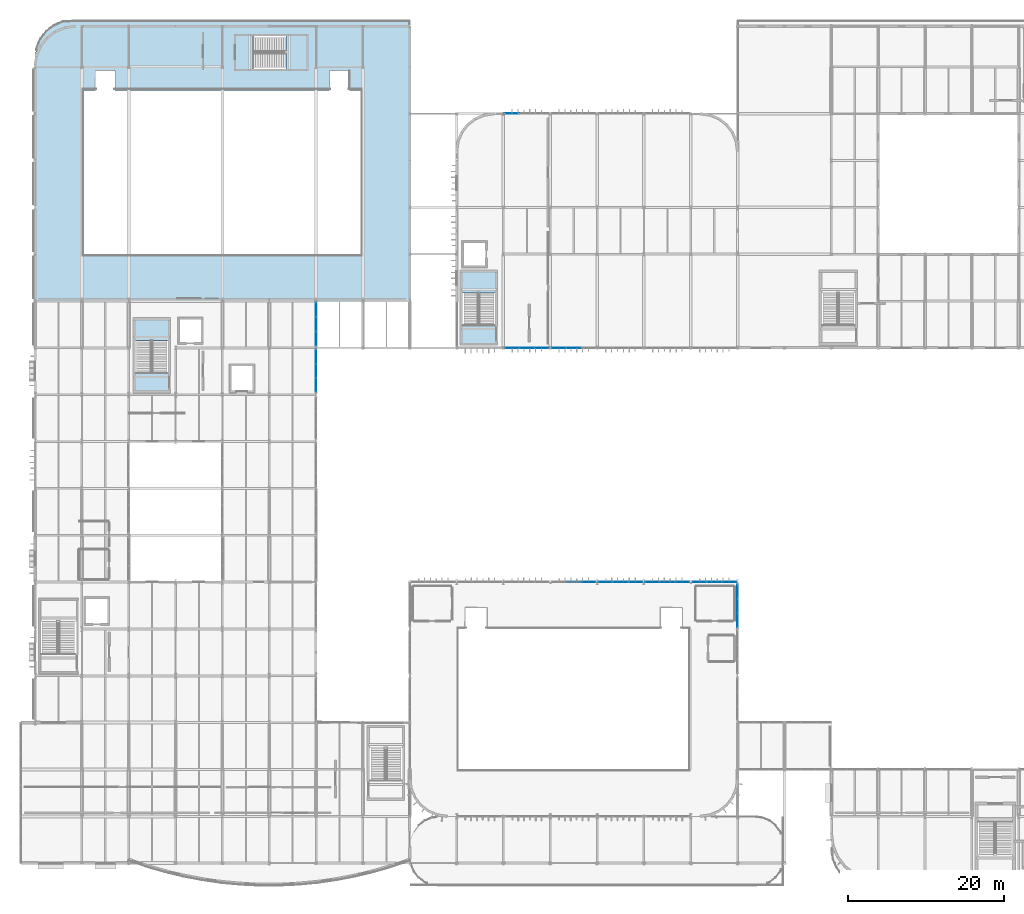
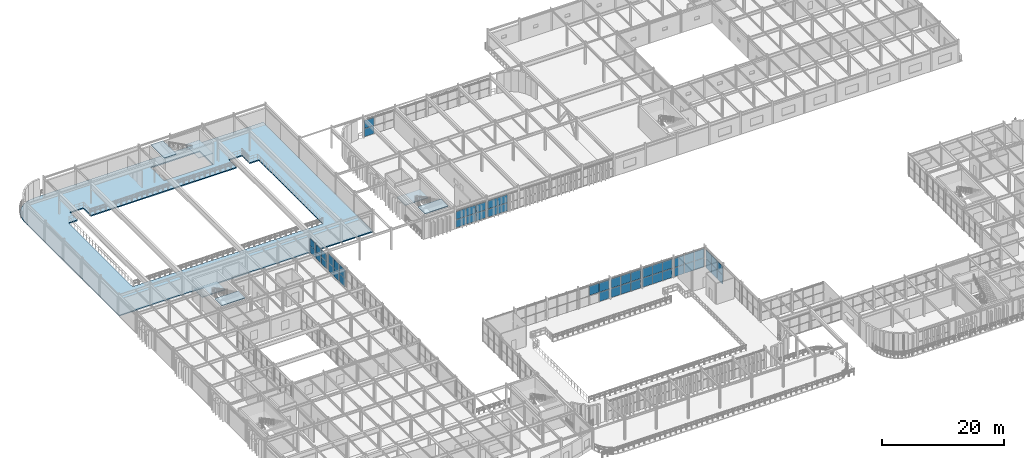
# One storey, part 59 of 96: 51 plates, 7 slabs, 13 elements without a shape of their own.
"""IFC4 building model written with IfcOpenShell, lengths in metres."""

from ifc_helpers import new_model, si_unit, direction, frame, origin, origin_2d, place, context, subcontext, project, spatial, polyline, rectangle, outline, extrude, material, layer, layer_set, type_object, element, aggregate, save


model = new_model("IFC4")

# Units and contexts
model_context = context("Model", 3, precision=1e-05, world=origin(), true_north=direction((0.0, 1.0)))
body_context = subcontext(model_context, "Body", "Model", "MODEL_VIEW")
ifc_project = project(units=[si_unit("LENGTHUNIT", "METRE"), si_unit("AREAUNIT", "SQUARE_METRE"), si_unit("VOLUMEUNIT", "CUBIC_METRE"), si_unit("PLANEANGLEUNIT", "RADIAN"), si_unit("MASSUNIT", "GRAM", prefix="KILO")], contexts=[model_context])

# Site, building, storey
site_placement = place(None, origin())
site = spatial("IfcSite", under=ifc_project, at=site_placement, CompositionType="ELEMENT")
building_placement = place(site_placement, origin())
building = spatial("IfcBuilding", under=site, at=building_placement, Name="Varnakota Square Police Headquarters", CompositionType="ELEMENT")
storey_placement = place(building_placement, frame((0.0, 0.0, 4.800048828125)))
storey = spatial("IfcBuildingStorey", under=building, at=storey_placement, Name="L01", CompositionType="ELEMENT", Elevation=4.800048828125)

# Curtain wall, plates
ifc_material_1 = material(Name="Anodised Aluminium Framing", Category="aluminium")
curtain_wall_type_1 = type_object("IfcCurtainWallType", Name="CW-SYS-B", PredefinedType="NOTDEFINED", material=ifc_material_1)
curtain_wall_1_placement = place(storey_placement, origin())
curtain_wall_1 = element("IfcCurtainWall", 1, at=curtain_wall_1_placement, inside=storey, type_object=curtain_wall_type_1, Name="Unitised curtain wall CWG-L01-027", PredefinedType="NOTDEFINED")
ifc_material_2 = material(Name="Solar-Control Laminated Double Glazing", Category="glass")
ifc_layer_1 = layer(ifc_material_2, 0.028076171875, Name="Solar-Control Laminated Double Glazing")
ifc_layer_set_1 = layer_set([ifc_layer_1], Name="Solar-Control Laminated Double Glazing")
plate_type_1 = type_object("IfcPlateType", Name="CWP-GLZ-28", PredefinedType="CURTAIN_PANEL", material=ifc_layer_set_1)
plate_1_placement = place(storey_placement, frame((91.133544921875, 39.0, 0.06494140625), z_axis=(0.0, 0.0, 1.0), x_axis=(1.0, 0.0, 0.0)))
plate_1 = element("IfcPlate", 2, at=plate_1_placement, type_object=plate_type_1, Name="CWG-L01-027 panel 1.1", PredefinedType="CURTAIN_PANEL", context=body_context, shape_type="SweptSolid", body=[
    extrude(rectangle(XDim=1.803466796875, YDim=0.028076171875, at=origin_2d()), origin(), (0.0, 0.0, 1.0), 1.797607421875),
])
plate_2_placement = place(storey_placement, frame((93.0185546875, 39.0, 0.06494140625), z_axis=(0.0, 0.0, 1.0), x_axis=(1.0, 0.0, 0.0)))
plate_2 = element("IfcPlate", 3, at=plate_2_placement, type_object=plate_type_1, Name="CWG-L01-027 panel 2.1", PredefinedType="CURTAIN_PANEL", context=body_context, shape_type="SweptSolid", body=[
    extrude(rectangle(XDim=1.8359375, YDim=0.028076171875, at=origin_2d()), origin(), (0.0, 0.0, 1.0), 1.797607421875),
])
plate_3_placement = place(storey_placement, frame((94.9033203125, 39.0, 0.06494140625), z_axis=(0.0, 0.0, 1.0), x_axis=(1.0, 0.0, 0.0)))
plate_3 = element("IfcPlate", 4, at=plate_3_placement, type_object=plate_type_1, Name="CWG-L01-027 panel 3.1", PredefinedType="CURTAIN_PANEL", context=body_context, shape_type="SweptSolid", body=[
    extrude(rectangle(XDim=1.803466796875, YDim=0.028076171875, at=origin_2d()), origin(), (0.0, 0.0, 1.0), 1.797607421875),
])

curtain_wall_type_2 = type_object("IfcCurtainWallType", Name="CW-SYS-D", PredefinedType="NOTDEFINED", material=ifc_material_1)
curtain_wall_2_placement = place(storey_placement, origin())
curtain_wall_2 = element("IfcCurtainWall", 5, at=curtain_wall_2_placement, inside=storey, type_object=curtain_wall_type_2, Name="Unitised curtain wall CWG-L01-147", PredefinedType="NOTDEFINED")
plate_4_placement = place(storey_placement, frame((42.0, 70.1611328125, 0.06494140625), z_axis=(0.0, 0.0, 1.0), x_axis=(0.0, 1.0, 0.0)))
plate_4 = element("IfcPlate", 6, at=plate_4_placement, type_object=plate_type_1, Name="CWG-L01-147 panel 1.1", PredefinedType="CURTAIN_PANEL", context=body_context, shape_type="SweptSolid", body=[
    extrude(rectangle(XDim=1.782470703125, YDim=0.028076171875, at=origin_2d()), origin(), (0.0, 0.0, 1.0), 1.3974609375),
])
plate_5_placement = place(storey_placement, frame((42.0, 72.02490234375, 0.06494140625), z_axis=(0.0, 0.0, 1.0), x_axis=(0.0, 1.0, 0.0)))
plate_5 = element("IfcPlate", 7, at=plate_5_placement, type_object=plate_type_1, Name="CWG-L01-147 panel 2.1", PredefinedType="CURTAIN_PANEL", context=body_context, shape_type="SweptSolid", body=[
    extrude(rectangle(XDim=1.81494140625, YDim=0.028076171875, at=origin_2d()), origin(), (0.0, 0.0, 1.0), 1.3974609375),
])
plate_6_placement = place(storey_placement, frame((42.0, 73.888671875, 0.06494140625), z_axis=(0.0, 0.0, 1.0), x_axis=(0.0, 1.0, 0.0)))
plate_6 = element("IfcPlate", 8, at=plate_6_placement, type_object=plate_type_1, Name="CWG-L01-147 panel 3.1", PredefinedType="CURTAIN_PANEL", context=body_context, shape_type="SweptSolid", body=[
    extrude(rectangle(XDim=1.782470703125, YDim=0.028076171875, at=origin_2d()), origin(), (0.0, 0.0, 1.0), 1.3974609375),
])

curtain_wall_3_placement = place(storey_placement, origin())
curtain_wall_3 = element("IfcCurtainWall", 9, at=curtain_wall_3_placement, inside=storey, type_object=curtain_wall_type_1, Name="Unitised curtain wall CWG-L01-227", PredefinedType="NOTDEFINED")
plate_7_placement = place(storey_placement, frame((67.11962890625, 69.0, 0.06494140625), z_axis=(0.0, 0.0, 1.0), x_axis=(1.0, 0.0, 0.0)))
plate_7 = element("IfcPlate", 10, at=plate_7_placement, type_object=plate_type_1, Name="CWG-L01-227 panel 1.1", PredefinedType="CURTAIN_PANEL", context=body_context, shape_type="SweptSolid", body=[
    extrude(rectangle(XDim=1.799072265625, YDim=0.028076171875, at=origin_2d()), origin(), (0.0, 0.0, 1.0), 1.597412109375),
])
plate_8_placement = place(storey_placement, frame((69.0, 69.0, 0.06494140625), z_axis=(0.0, 0.0, 1.0), x_axis=(1.0, 0.0, 0.0)))
plate_8 = element("IfcPlate", 11, at=plate_8_placement, type_object=plate_type_1, Name="CWG-L01-227 panel 2.1", PredefinedType="CURTAIN_PANEL", context=body_context, shape_type="SweptSolid", body=[
    extrude(rectangle(XDim=1.831787109375, YDim=0.028076171875, at=origin_2d()), origin(), (0.0, 0.0, 1.0), 1.597412109375),
])
plate_9_placement = place(storey_placement, frame((70.88037109375, 69.0, 0.06494140625), z_axis=(0.0, 0.0, 1.0), x_axis=(1.0, 0.0, 0.0)))
plate_9 = element("IfcPlate", 12, at=plate_9_placement, type_object=plate_type_1, Name="CWG-L01-227 panel 3.1", PredefinedType="CURTAIN_PANEL", context=body_context, shape_type="SweptSolid", body=[
    extrude(rectangle(XDim=1.799072265625, YDim=0.028076171875, at=origin_2d()), origin(), (0.0, 0.0, 1.0), 1.597412109375),
])

# Curtain wall, plate
curtain_wall_4_placement = place(storey_placement, origin())
curtain_wall_4 = element("IfcCurtainWall", 13, at=curtain_wall_4_placement, inside=storey, type_object=curtain_wall_type_1, Name="Unitised curtain wall CWG-L01-024", PredefinedType="NOTDEFINED")
ifc_material_3 = material(Name="Acoustic Laminated Double Glazing", Category="glass")
ifc_layer_2 = layer(ifc_material_3, 0.031982421875, Name="Acoustic Laminated Double Glazing")
ifc_layer_set_2 = layer_set([ifc_layer_2], Name="Acoustic Laminated Double Glazing")
plate_type_2 = type_object("IfcPlateType", Name="CWP-GLZ-32", PredefinedType="CURTAIN_PANEL", material=ifc_layer_set_2)
plate_10_placement = place(storey_placement, frame((76.9033203125, 39.0, 0.06494140625), z_axis=(0.0, 0.0, 1.0), x_axis=(1.0, 0.0, 0.0)))
plate_10 = element("IfcPlate", 14, at=plate_10_placement, type_object=plate_type_2, Name="CWG-L01-024 panel 3.1", PredefinedType="CURTAIN_PANEL", context=body_context, shape_type="SweptSolid", body=[
    extrude(rectangle(XDim=1.803466796875, YDim=0.031982421875, at=origin_2d()), origin(), (0.0, 0.0, 1.0), 1.847412109375),
])

# Curtain wall, plates
curtain_wall_5_placement = place(storey_placement, origin())
curtain_wall_5 = element("IfcCurtainWall", 15, at=curtain_wall_5_placement, inside=storey, type_object=curtain_wall_type_1, Name="Unitised curtain wall CWG-L01-228", PredefinedType="NOTDEFINED")
plate_11_placement = place(storey_placement, frame((73.123779296875, 69.0, 0.06494140625), z_axis=(0.0, 0.0, 1.0), x_axis=(1.0, 0.0, 0.0)))
plate_11 = element("IfcPlate", 16, at=plate_11_placement, type_object=plate_type_2, Name="CWG-L01-228 panel 1.1", PredefinedType="CURTAIN_PANEL", context=body_context, shape_type="SweptSolid", body=[
    extrude(rectangle(XDim=1.8076171875, YDim=0.031982421875, at=origin_2d()), origin(), (0.0, 0.0, 1.0), 1.597412109375),
])
plate_12_placement = place(storey_placement, frame((75.012451171875, 69.0, 0.06494140625), z_axis=(0.0, 0.0, 1.0), x_axis=(1.0, 0.0, 0.0)))
plate_12 = element("IfcPlate", 17, at=plate_12_placement, type_object=plate_type_2, Name="CWG-L01-228 panel 2.1", PredefinedType="CURTAIN_PANEL", context=body_context, shape_type="SweptSolid", body=[
    extrude(rectangle(XDim=1.840087890625, YDim=0.031982421875, at=origin_2d()), origin(), (0.0, 0.0, 1.0), 1.597412109375),
])

# Curtain wall, plate
curtain_wall_type_3 = type_object("IfcCurtainWallType", Name="CW-SYS-C", PredefinedType="NOTDEFINED", material=ifc_material_1)
curtain_wall_6_placement = place(storey_placement, origin())
curtain_wall_6 = element("IfcCurtainWall", 18, at=curtain_wall_6_placement, inside=storey, type_object=curtain_wall_type_3, Name="Unitised curtain wall CWG-L01-232", PredefinedType="NOTDEFINED")
plate_13_placement = place(storey_placement, frame((67.0986328125, 99.0, 0.06494140625), z_axis=(0.0, 0.0, 1.0), x_axis=(1.0, 0.0, 0.0)))
plate_13 = element("IfcPlate", 19, at=plate_13_placement, type_object=plate_type_2, Name="CWG-L01-232 panel 1.1", PredefinedType="CURTAIN_PANEL", context=body_context, shape_type="SweptSolid", body=[
    extrude(rectangle(XDim=1.8076171875, YDim=0.031982421875, at=origin_2d()), origin(), (0.0, 0.0, 1.0), 1.597412109375),
])

# Curtain wall, plates
curtain_wall_7_placement = place(storey_placement, origin())
curtain_wall_7 = element("IfcCurtainWall", 20, at=curtain_wall_7_placement, inside=storey, type_object=curtain_wall_type_1, Name="Unitised curtain wall CWG-L01-025", PredefinedType="NOTDEFINED")
ifc_material_4 = material(Name="Blast-Resistant Laminated Glazing", Category="glass")
ifc_layer_3 = layer(ifc_material_4, 0.035888671875, Name="Blast-Resistant Laminated Glazing")
ifc_layer_set_3 = layer_set([ifc_layer_3], Name="Blast-Resistant Laminated Glazing")
plate_type_3 = type_object("IfcPlateType", Name="CWP-GLZ-36", PredefinedType="CURTAIN_PANEL", material=ifc_layer_set_3)
plate_14_placement = place(storey_placement, frame((79.10302734375, 39.0, 0.06494140625), z_axis=(0.0, 0.0, 1.0), x_axis=(1.0, 0.0, 0.0)))
plate_14 = element("IfcPlate", 21, at=plate_14_placement, type_object=plate_type_3, Name="CWG-L01-025 panel 1.1", PredefinedType="CURTAIN_PANEL", context=body_context, shape_type="SweptSolid", body=[
    extrude(rectangle(XDim=1.81591796875, YDim=0.035888671875, at=origin_2d()), origin(), (0.0, 0.0, 1.0), 1.847412109375),
])
plate_15_placement = place(storey_placement, frame((81.0, 39.0, 0.06494140625), z_axis=(0.0, 0.0, 1.0), x_axis=(1.0, 0.0, 0.0)))
plate_15 = element("IfcPlate", 22, at=plate_15_placement, type_object=plate_type_3, Name="CWG-L01-025 panel 2.1", PredefinedType="CURTAIN_PANEL", context=body_context, shape_type="SweptSolid", body=[
    extrude(rectangle(XDim=1.848388671875, YDim=0.035888671875, at=origin_2d()), origin(), (0.0, 0.0, 1.0), 1.847412109375),
])
plate_16_placement = place(storey_placement, frame((82.89697265625, 39.0, 0.06494140625), z_axis=(0.0, 0.0, 1.0), x_axis=(1.0, 0.0, 0.0)))
plate_16 = element("IfcPlate", 23, at=plate_16_placement, type_object=plate_type_3, Name="CWG-L01-025 panel 3.1", PredefinedType="CURTAIN_PANEL", context=body_context, shape_type="SweptSolid", body=[
    extrude(rectangle(XDim=1.81591796875, YDim=0.035888671875, at=origin_2d()), origin(), (0.0, 0.0, 1.0), 1.847412109375),
])

curtain_wall_8_placement = place(storey_placement, origin())
curtain_wall_8 = element("IfcCurtainWall", 24, at=curtain_wall_8_placement, inside=storey, type_object=curtain_wall_type_1, Name="Unitised curtain wall CWG-L01-026", PredefinedType="NOTDEFINED")
ifc_material_5 = material(Name="Triple-Glazed Clean-Lab Vision Unit", Category="aluminium")
ifc_layer_4 = layer(ifc_material_5, 0.0419921875, Name="Triple-Glazed Clean-Lab Vision Unit")
ifc_layer_set_4 = layer_set([ifc_layer_4], Name="Triple-Glazed Clean-Lab Vision Unit")
plate_type_4 = type_object("IfcPlateType", Name="CWP-GLZ-42", PredefinedType="CURTAIN_PANEL", material=ifc_layer_set_4)
plate_17_placement = place(storey_placement, frame((85.0966796875, 39.0, 0.06494140625), z_axis=(0.0, 0.0, 1.0), x_axis=(1.0, 0.0, 0.0)))
plate_17 = element("IfcPlate", 25, at=plate_17_placement, type_object=plate_type_4, Name="CWG-L01-026 panel 1.1", PredefinedType="CURTAIN_PANEL", context=body_context, shape_type="SweptSolid", body=[
    extrude(rectangle(XDim=1.803466796875, YDim=0.0419921875, at=origin_2d()), origin(), (0.0, 0.0, 1.0), 1.847412109375),
])
plate_18_placement = place(storey_placement, frame((86.9814453125, 39.0, 0.06494140625), z_axis=(0.0, 0.0, 1.0), x_axis=(1.0, 0.0, 0.0)))
plate_18 = element("IfcPlate", 26, at=plate_18_placement, type_object=plate_type_4, Name="CWG-L01-026 panel 2.1", PredefinedType="CURTAIN_PANEL", context=body_context, shape_type="SweptSolid", body=[
    extrude(rectangle(XDim=1.8359375, YDim=0.0419921875, at=origin_2d()), origin(), (0.0, 0.0, 1.0), 1.847412109375),
])
plate_19_placement = place(storey_placement, frame((88.866455078125, 39.0, 0.06494140625), z_axis=(0.0, 0.0, 1.0), x_axis=(1.0, 0.0, 0.0)))
plate_19 = element("IfcPlate", 27, at=plate_19_placement, type_object=plate_type_4, Name="CWG-L01-026 panel 3.1", PredefinedType="CURTAIN_PANEL", context=body_context, shape_type="SweptSolid", body=[
    extrude(rectangle(XDim=1.803466796875, YDim=0.0419921875, at=origin_2d()), origin(), (0.0, 0.0, 1.0), 1.847412109375),
])

curtain_wall_9_placement = place(storey_placement, origin())
curtain_wall_9 = element("IfcCurtainWall", 28, at=curtain_wall_9_placement, inside=storey, type_object=curtain_wall_type_1, Name="Unitised curtain wall CWG-L01-034", PredefinedType="NOTDEFINED")
plate_20_placement = place(storey_placement, frame((96.0, 34.1044921875, 0.06494140625), z_axis=(0.0, 0.0, 1.0), x_axis=(0.0, 1.0, 0.0)))
plate_20 = element("IfcPlate", 29, at=plate_20_placement, type_object=plate_type_4, Name="CWG-L01-034 panel 1.1", PredefinedType="CURTAIN_PANEL", context=body_context, shape_type="SweptSolid", body=[
    extrude(rectangle(XDim=1.7451171875, YDim=0.0419921875, at=origin_2d()), origin(), (0.0, 0.0, 1.0), 1.7724609375),
])
plate_21_placement = place(storey_placement, frame((96.0, 35.930908203125, 0.06494140625), z_axis=(0.0, 0.0, 1.0), x_axis=(0.0, 1.0, 0.0)))
plate_21 = element("IfcPlate", 30, at=plate_21_placement, type_object=plate_type_4, Name="CWG-L01-034 panel 2.1", PredefinedType="CURTAIN_PANEL", context=body_context, shape_type="SweptSolid", body=[
    extrude(rectangle(XDim=1.777587890625, YDim=0.0419921875, at=origin_2d()), origin(), (0.0, 0.0, 1.0), 1.7724609375),
])
plate_22_placement = place(storey_placement, frame((96.0, 37.75732421875, 0.06494140625), z_axis=(0.0, 0.0, 1.0), x_axis=(0.0, 1.0, 0.0)))
plate_22 = element("IfcPlate", 31, at=plate_22_placement, type_object=plate_type_4, Name="CWG-L01-034 panel 3.1", PredefinedType="CURTAIN_PANEL", context=body_context, shape_type="SweptSolid", body=[
    extrude(rectangle(XDim=1.7451171875, YDim=0.0419921875, at=origin_2d()), origin(), (0.0, 0.0, 1.0), 1.7724609375),
])

curtain_wall_10_placement = place(storey_placement, origin())
curtain_wall_10 = element("IfcCurtainWall", 32, at=curtain_wall_10_placement, inside=storey, type_object=curtain_wall_type_2, Name="Unitised curtain wall CWG-L01-146", PredefinedType="NOTDEFINED")
plate_23_placement = place(storey_placement, frame((42.0, 64.236328125, 0.06494140625), z_axis=(0.0, 0.0, 1.0), x_axis=(0.0, 1.0, 0.0)))
plate_23 = element("IfcPlate", 33, at=plate_23_placement, type_object=plate_type_4, Name="CWG-L01-146 panel 1.1", PredefinedType="CURTAIN_PANEL", context=body_context, shape_type="SweptSolid", body=[
    extrude(rectangle(XDim=1.732421875, YDim=0.0419921875, at=origin_2d()), origin(), (0.0, 0.0, 1.0), 1.697509765625),
])
plate_24_placement = place(storey_placement, frame((42.0, 66.050048828125, 0.06494140625), z_axis=(0.0, 0.0, 1.0), x_axis=(0.0, 1.0, 0.0)))
plate_24 = element("IfcPlate", 34, at=plate_24_placement, type_object=plate_type_4, Name="CWG-L01-146 panel 2.1", PredefinedType="CURTAIN_PANEL", context=body_context, shape_type="SweptSolid", body=[
    extrude(rectangle(XDim=1.764892578125, YDim=0.0419921875, at=origin_2d()), origin(), (0.0, 0.0, 1.0), 1.697509765625),
])
plate_25_placement = place(storey_placement, frame((42.0, 67.86376953125, 0.06494140625), z_axis=(0.0, 0.0, 1.0), x_axis=(0.0, 1.0, 0.0)))
plate_25 = element("IfcPlate", 35, at=plate_25_placement, type_object=plate_type_4, Name="CWG-L01-146 panel 3.1", PredefinedType="CURTAIN_PANEL", context=body_context, shape_type="SweptSolid", body=[
    extrude(rectangle(XDim=1.732421875, YDim=0.0419921875, at=origin_2d()), origin(), (0.0, 0.0, 1.0), 1.697509765625),
])

# Plate
ifc_material_6 = material(Name="Insulated Anodised Aluminium Spandrel Panel", Category="aluminium")
ifc_layer_5 = layer(ifc_material_6, 0.050048828125, Name="Insulated Anodised Aluminium Spandrel Panel")
ifc_layer_set_5 = layer_set([ifc_layer_5], Name="Insulated Anodised Aluminium Spandrel Panel")
plate_type_5 = type_object("IfcPlateType", Name="CWP-SPN-50", PredefinedType="CURTAIN_PANEL", material=ifc_layer_set_5)
plate_26_placement = place(storey_placement, frame((79.10302734375, 39.0, 1.9775390625), z_axis=(0.0, 0.0, 1.0), x_axis=(1.0, 0.0, 0.0)))
plate_26 = element("IfcPlate", 36, at=plate_26_placement, type_object=plate_type_5, Name="CWG-L01-025 panel 1.2", PredefinedType="CURTAIN_PANEL", context=body_context, shape_type="SweptSolid", body=[
    extrude(rectangle(XDim=1.81591796875, YDim=0.050048828125, at=origin_2d()), origin(), (0.0, 0.0, 1.0), 1.847412109375),
])

plate_27_placement = place(storey_placement, frame((81.0, 39.0, 1.9775390625), z_axis=(0.0, 0.0, 1.0), x_axis=(1.0, 0.0, 0.0)))
plate_27 = element("IfcPlate", 37, at=plate_27_placement, type_object=plate_type_5, Name="CWG-L01-025 panel 2.2", PredefinedType="CURTAIN_PANEL", context=body_context, shape_type="SweptSolid", body=[
    extrude(rectangle(XDim=1.848388671875, YDim=0.050048828125, at=origin_2d()), origin(), (0.0, 0.0, 1.0), 1.847412109375),
])

plate_28_placement = place(storey_placement, frame((82.89697265625, 39.0, 1.9775390625), z_axis=(0.0, 0.0, 1.0), x_axis=(1.0, 0.0, 0.0)))
plate_28 = element("IfcPlate", 38, at=plate_28_placement, type_object=plate_type_5, Name="CWG-L01-025 panel 3.2", PredefinedType="CURTAIN_PANEL", context=body_context, shape_type="SweptSolid", body=[
    extrude(rectangle(XDim=1.81591796875, YDim=0.050048828125, at=origin_2d()), origin(), (0.0, 0.0, 1.0), 1.847412109375),
])

aggregate(curtain_wall_7, [plate_14, plate_26, plate_15, plate_27, plate_16, plate_28])

plate_29_placement = place(storey_placement, frame((91.133544921875, 39.0, 1.92724609375), z_axis=(0.0, 0.0, 1.0), x_axis=(1.0, 0.0, 0.0)))
plate_29 = element("IfcPlate", 39, at=plate_29_placement, type_object=plate_type_5, Name="CWG-L01-027 panel 1.2", PredefinedType="CURTAIN_PANEL", context=body_context, shape_type="SweptSolid", body=[
    extrude(rectangle(XDim=1.803466796875, YDim=0.050048828125, at=origin_2d()), origin(), (0.0, 0.0, 1.0), 1.797607421875),
])

plate_30_placement = place(storey_placement, frame((93.0185546875, 39.0, 1.92724609375), z_axis=(0.0, 0.0, 1.0), x_axis=(1.0, 0.0, 0.0)))
plate_30 = element("IfcPlate", 40, at=plate_30_placement, type_object=plate_type_5, Name="CWG-L01-027 panel 2.2", PredefinedType="CURTAIN_PANEL", context=body_context, shape_type="SweptSolid", body=[
    extrude(rectangle(XDim=1.8359375, YDim=0.050048828125, at=origin_2d()), origin(), (0.0, 0.0, 1.0), 1.797607421875),
])

plate_31_placement = place(storey_placement, frame((94.9033203125, 39.0, 1.92724609375), z_axis=(0.0, 0.0, 1.0), x_axis=(1.0, 0.0, 0.0)))
plate_31 = element("IfcPlate", 41, at=plate_31_placement, type_object=plate_type_5, Name="CWG-L01-027 panel 3.2", PredefinedType="CURTAIN_PANEL", context=body_context, shape_type="SweptSolid", body=[
    extrude(rectangle(XDim=1.803466796875, YDim=0.050048828125, at=origin_2d()), origin(), (0.0, 0.0, 1.0), 1.797607421875),
])

aggregate(curtain_wall_1, [plate_1, plate_29, plate_2, plate_30, plate_3, plate_31])

plate_32_placement = place(storey_placement, frame((42.0, 70.1611328125, 1.527587890625), z_axis=(0.0, 0.0, 1.0), x_axis=(0.0, 1.0, 0.0)))
plate_32 = element("IfcPlate", 42, at=plate_32_placement, type_object=plate_type_5, Name="CWG-L01-147 panel 1.2", PredefinedType="CURTAIN_PANEL", context=body_context, shape_type="SweptSolid", body=[
    extrude(rectangle(XDim=1.782470703125, YDim=0.050048828125, at=origin_2d()), origin(), (0.0, 0.0, 1.0), 1.3974609375),
])

plate_33_placement = place(storey_placement, frame((42.0, 72.02490234375, 1.527587890625), z_axis=(0.0, 0.0, 1.0), x_axis=(0.0, 1.0, 0.0)))
plate_33 = element("IfcPlate", 43, at=plate_33_placement, type_object=plate_type_5, Name="CWG-L01-147 panel 2.2", PredefinedType="CURTAIN_PANEL", context=body_context, shape_type="SweptSolid", body=[
    extrude(rectangle(XDim=1.81494140625, YDim=0.050048828125, at=origin_2d()), origin(), (0.0, 0.0, 1.0), 1.3974609375),
])

plate_34_placement = place(storey_placement, frame((42.0, 73.888671875, 1.527587890625), z_axis=(0.0, 0.0, 1.0), x_axis=(0.0, 1.0, 0.0)))
plate_34 = element("IfcPlate", 44, at=plate_34_placement, type_object=plate_type_5, Name="CWG-L01-147 panel 3.2", PredefinedType="CURTAIN_PANEL", context=body_context, shape_type="SweptSolid", body=[
    extrude(rectangle(XDim=1.782470703125, YDim=0.050048828125, at=origin_2d()), origin(), (0.0, 0.0, 1.0), 1.3974609375),
])

aggregate(curtain_wall_2, [plate_4, plate_32, plate_5, plate_33, plate_6, plate_34])

plate_35_placement = place(storey_placement, frame((67.11962890625, 69.0, 1.7275390625), z_axis=(0.0, 0.0, 1.0), x_axis=(1.0, 0.0, 0.0)))
plate_35 = element("IfcPlate", 45, at=plate_35_placement, type_object=plate_type_5, Name="CWG-L01-227 panel 1.2", PredefinedType="CURTAIN_PANEL", context=body_context, shape_type="SweptSolid", body=[
    extrude(rectangle(XDim=1.799072265625, YDim=0.050048828125, at=origin_2d()), origin(), (0.0, 0.0, 1.0), 1.597412109375),
])

plate_36_placement = place(storey_placement, frame((69.0, 69.0, 1.7275390625), z_axis=(0.0, 0.0, 1.0), x_axis=(1.0, 0.0, 0.0)))
plate_36 = element("IfcPlate", 46, at=plate_36_placement, type_object=plate_type_5, Name="CWG-L01-227 panel 2.2", PredefinedType="CURTAIN_PANEL", context=body_context, shape_type="SweptSolid", body=[
    extrude(rectangle(XDim=1.831787109375, YDim=0.050048828125, at=origin_2d()), origin(), (0.0, 0.0, 1.0), 1.597412109375),
])

plate_37_placement = place(storey_placement, frame((70.88037109375, 69.0, 1.7275390625), z_axis=(0.0, 0.0, 1.0), x_axis=(1.0, 0.0, 0.0)))
plate_37 = element("IfcPlate", 47, at=plate_37_placement, type_object=plate_type_5, Name="CWG-L01-227 panel 3.2", PredefinedType="CURTAIN_PANEL", context=body_context, shape_type="SweptSolid", body=[
    extrude(rectangle(XDim=1.799072265625, YDim=0.050048828125, at=origin_2d()), origin(), (0.0, 0.0, 1.0), 1.597412109375),
])

aggregate(curtain_wall_3, [plate_7, plate_35, plate_8, plate_36, plate_9, plate_37])

ifc_material_7 = material(Name="Fire-Stopped Mineral-Wool Spandrel Panel", Category="aluminium")
ifc_layer_6 = layer(ifc_material_7, 0.06005859375, Name="Fire-Stopped Mineral-Wool Spandrel Panel")
ifc_layer_set_6 = layer_set([ifc_layer_6], Name="Fire-Stopped Mineral-Wool Spandrel Panel")
plate_type_6 = type_object("IfcPlateType", Name="CWP-SPN-60", PredefinedType="CURTAIN_PANEL", material=ifc_layer_set_6)
plate_38_placement = place(storey_placement, frame((75.0185546875, 39.0, 1.9775390625), z_axis=(0.0, 0.0, 1.0), x_axis=(1.0, 0.0, 0.0)))
plate_38 = element("IfcPlate", 48, at=plate_38_placement, type_object=plate_type_6, Name="CWG-L01-024 panel 2.2", PredefinedType="CURTAIN_PANEL", context=body_context, shape_type="SweptSolid", body=[
    extrude(rectangle(XDim=1.8359375, YDim=0.06005859375, at=origin_2d()), origin(), (0.0, 0.0, 1.0), 1.847412109375),
])

plate_39_placement = place(storey_placement, frame((76.9033203125, 39.0, 1.9775390625), z_axis=(0.0, 0.0, 1.0), x_axis=(1.0, 0.0, 0.0)))
plate_39 = element("IfcPlate", 49, at=plate_39_placement, type_object=plate_type_6, Name="CWG-L01-024 panel 3.2", PredefinedType="CURTAIN_PANEL", context=body_context, shape_type="SweptSolid", body=[
    extrude(rectangle(XDim=1.803466796875, YDim=0.06005859375, at=origin_2d()), origin(), (0.0, 0.0, 1.0), 1.847412109375),
])

aggregate(curtain_wall_4, [plate_38, plate_10, plate_39])

plate_40_placement = place(storey_placement, frame((85.0966796875, 39.0, 1.9775390625), z_axis=(0.0, 0.0, 1.0), x_axis=(1.0, 0.0, 0.0)))
plate_40 = element("IfcPlate", 50, at=plate_40_placement, type_object=plate_type_6, Name="CWG-L01-026 panel 1.2", PredefinedType="CURTAIN_PANEL", context=body_context, shape_type="SweptSolid", body=[
    extrude(rectangle(XDim=1.803466796875, YDim=0.06005859375, at=origin_2d()), origin(), (0.0, 0.0, 1.0), 1.847412109375),
])

plate_41_placement = place(storey_placement, frame((86.9814453125, 39.0, 1.9775390625), z_axis=(0.0, 0.0, 1.0), x_axis=(1.0, 0.0, 0.0)))
plate_41 = element("IfcPlate", 51, at=plate_41_placement, type_object=plate_type_6, Name="CWG-L01-026 panel 2.2", PredefinedType="CURTAIN_PANEL", context=body_context, shape_type="SweptSolid", body=[
    extrude(rectangle(XDim=1.8359375, YDim=0.06005859375, at=origin_2d()), origin(), (0.0, 0.0, 1.0), 1.847412109375),
])

plate_42_placement = place(storey_placement, frame((88.866455078125, 39.0, 1.9775390625), z_axis=(0.0, 0.0, 1.0), x_axis=(1.0, 0.0, 0.0)))
plate_42 = element("IfcPlate", 52, at=plate_42_placement, type_object=plate_type_6, Name="CWG-L01-026 panel 3.2", PredefinedType="CURTAIN_PANEL", context=body_context, shape_type="SweptSolid", body=[
    extrude(rectangle(XDim=1.803466796875, YDim=0.06005859375, at=origin_2d()), origin(), (0.0, 0.0, 1.0), 1.847412109375),
])

aggregate(curtain_wall_8, [plate_17, plate_40, plate_18, plate_41, plate_19, plate_42])

plate_43_placement = place(storey_placement, frame((96.0, 34.1044921875, 1.902587890625), z_axis=(0.0, 0.0, 1.0), x_axis=(0.0, 1.0, 0.0)))
plate_43 = element("IfcPlate", 53, at=plate_43_placement, type_object=plate_type_6, Name="CWG-L01-034 panel 1.2", PredefinedType="CURTAIN_PANEL", context=body_context, shape_type="SweptSolid", body=[
    extrude(rectangle(XDim=1.7451171875, YDim=0.06005859375, at=origin_2d()), origin(), (0.0, 0.0, 1.0), 1.7724609375),
])

plate_44_placement = place(storey_placement, frame((96.0, 35.930908203125, 1.902587890625), z_axis=(0.0, 0.0, 1.0), x_axis=(0.0, 1.0, 0.0)))
plate_44 = element("IfcPlate", 54, at=plate_44_placement, type_object=plate_type_6, Name="CWG-L01-034 panel 2.2", PredefinedType="CURTAIN_PANEL", context=body_context, shape_type="SweptSolid", body=[
    extrude(rectangle(XDim=1.777587890625, YDim=0.06005859375, at=origin_2d()), origin(), (0.0, 0.0, 1.0), 1.7724609375),
])

plate_45_placement = place(storey_placement, frame((96.0, 37.75732421875, 1.902587890625), z_axis=(0.0, 0.0, 1.0), x_axis=(0.0, 1.0, 0.0)))
plate_45 = element("IfcPlate", 55, at=plate_45_placement, type_object=plate_type_6, Name="CWG-L01-034 panel 3.2", PredefinedType="CURTAIN_PANEL", context=body_context, shape_type="SweptSolid", body=[
    extrude(rectangle(XDim=1.7451171875, YDim=0.06005859375, at=origin_2d()), origin(), (0.0, 0.0, 1.0), 1.7724609375),
])

aggregate(curtain_wall_9, [plate_20, plate_43, plate_21, plate_44, plate_22, plate_45])

plate_46_placement = place(storey_placement, frame((42.0, 64.236328125, 1.82763671875), z_axis=(0.0, 0.0, 1.0), x_axis=(0.0, 1.0, 0.0)))
plate_46 = element("IfcPlate", 56, at=plate_46_placement, type_object=plate_type_6, Name="CWG-L01-146 panel 1.2", PredefinedType="CURTAIN_PANEL", context=body_context, shape_type="SweptSolid", body=[
    extrude(rectangle(XDim=1.732421875, YDim=0.06005859375, at=origin_2d()), origin(), (0.0, 0.0, 1.0), 1.697509765625),
])

plate_47_placement = place(storey_placement, frame((42.0, 66.050048828125, 1.82763671875), z_axis=(0.0, 0.0, 1.0), x_axis=(0.0, 1.0, 0.0)))
plate_47 = element("IfcPlate", 57, at=plate_47_placement, type_object=plate_type_6, Name="CWG-L01-146 panel 2.2", PredefinedType="CURTAIN_PANEL", context=body_context, shape_type="SweptSolid", body=[
    extrude(rectangle(XDim=1.764892578125, YDim=0.06005859375, at=origin_2d()), origin(), (0.0, 0.0, 1.0), 1.697509765625),
])

plate_48_placement = place(storey_placement, frame((42.0, 67.86376953125, 1.82763671875), z_axis=(0.0, 0.0, 1.0), x_axis=(0.0, 1.0, 0.0)))
plate_48 = element("IfcPlate", 58, at=plate_48_placement, type_object=plate_type_6, Name="CWG-L01-146 panel 3.2", PredefinedType="CURTAIN_PANEL", context=body_context, shape_type="SweptSolid", body=[
    extrude(rectangle(XDim=1.732421875, YDim=0.06005859375, at=origin_2d()), origin(), (0.0, 0.0, 1.0), 1.697509765625),
])

aggregate(curtain_wall_10, [plate_23, plate_46, plate_24, plate_47, plate_25, plate_48])

plate_49_placement = place(storey_placement, frame((73.123779296875, 69.0, 1.7275390625), z_axis=(0.0, 0.0, 1.0), x_axis=(1.0, 0.0, 0.0)))
plate_49 = element("IfcPlate", 59, at=plate_49_placement, type_object=plate_type_6, Name="CWG-L01-228 panel 1.2", PredefinedType="CURTAIN_PANEL", context=body_context, shape_type="SweptSolid", body=[
    extrude(rectangle(XDim=1.8076171875, YDim=0.06005859375, at=origin_2d()), origin(), (0.0, 0.0, 1.0), 1.597412109375),
])

plate_50_placement = place(storey_placement, frame((75.012451171875, 69.0, 1.7275390625), z_axis=(0.0, 0.0, 1.0), x_axis=(1.0, 0.0, 0.0)))
plate_50 = element("IfcPlate", 60, at=plate_50_placement, type_object=plate_type_6, Name="CWG-L01-228 panel 2.2", PredefinedType="CURTAIN_PANEL", context=body_context, shape_type="SweptSolid", body=[
    extrude(rectangle(XDim=1.840087890625, YDim=0.06005859375, at=origin_2d()), origin(), (0.0, 0.0, 1.0), 1.597412109375),
])

aggregate(curtain_wall_5, [plate_11, plate_49, plate_12, plate_50])

plate_51_placement = place(storey_placement, frame((67.0986328125, 99.0, 1.7275390625), z_axis=(0.0, 0.0, 1.0), x_axis=(1.0, 0.0, 0.0)))
plate_51 = element("IfcPlate", 61, at=plate_51_placement, type_object=plate_type_6, Name="CWG-L01-232 panel 1.2", PredefinedType="CURTAIN_PANEL", context=body_context, shape_type="SweptSolid", body=[
    extrude(rectangle(XDim=1.8076171875, YDim=0.06005859375, at=origin_2d()), origin(), (0.0, 0.0, 1.0), 1.597412109375),
])

aggregate(curtain_wall_6, [plate_13, plate_51])

# Slab
ifc_material_8 = material(Name="Concrete M40", Category="concrete")
ifc_layer_7 = layer(ifc_material_8, 0.219970703125, Name="Concrete M40")
ifc_layer_set_7 = layer_set([ifc_layer_7], Name="Concrete M40")
slab_type_1 = type_object("IfcSlabType", Name="SL-COMP-220", PredefinedType="FLOOR", material=ifc_layer_set_7)
slab_1_placement = place(storey_placement, frame((0.0, 0.0, -0.219970703125)))
element("IfcSlab", 62, at=slab_1_placement, inside=storey, type_object=slab_type_1, Name="L01 Auditorium Balcony and Range Gallery Slab", PredefinedType="FLOOR", context=body_context, shape_type="SweptSolid", body=[
    extrude(outline(polyline([(6.0, 75.0), (54.0, 75.0), (54.0, 111.0), (10.800048828125, 111.0), (9.5576171875, 110.83642578125), (8.39990234375, 110.35693359375), (7.406005859375, 109.593994140625), (6.64306640625, 108.60009765625), (6.16357421875, 107.4423828125), (6.0, 106.199951171875), (6.0, 75.0)]), holes=[polyline([(12.0, 81.0), (48.0, 81.0), (48.0, 102.0), (46.2548828125, 102.0), (46.2548828125, 104.5048828125), (43.7451171875, 104.5048828125), (43.7451171875, 102.0), (16.2548828125, 102.0), (16.2548828125, 104.5048828125), (13.7451171875, 104.5048828125), (13.7451171875, 102.0), (12.0, 102.0), (12.0, 81.0)]), polyline([(31.655029296875, 104.655029296875), (40.844970703125, 104.655029296875), (40.844970703125, 109.044921875), (31.655029296875, 109.044921875), (31.655029296875, 104.655029296875)])]), origin(), (0.0, 0.0, 1.0), 0.219970703125),
])

# Stair, slabs
stair_type = type_object("IfcStairType", Name="STR-DOG-1850", PredefinedType="USERDEFINED", material=ifc_material_8)
stair_1_placement = place(storey_placement, origin())
stair_1 = element("IfcStair", 63, at=stair_1_placement, inside=storey, type_object=stair_type, Name="Protected exit stair ST5 (L01)", ObjectType="TWO_RETURN_STAIR", PredefinedType="USERDEFINED")
ifc_layer_8 = layer(ifc_material_8, 0.157958984375, Name="Concrete M40")
ifc_layer_set_8 = layer_set([ifc_layer_8], Name="Concrete M40")
slab_type_2 = type_object("IfcSlabType", Name="SLB-LND-1850", PredefinedType="LANDING", material=ifc_layer_set_8)
slab_2_placement = place(storey_placement, frame((0.0, 0.0, 2.092041015625)))
slab_2 = element("IfcSlab", 64, at=slab_2_placement, type_object=slab_type_2, Name="ST5-L01 landing 1", PredefinedType="LANDING", context=body_context, shape_type="SweptSolid", body=[
    extrude(outline(polyline([(18.760009765625, 69.95068359375), (23.139892578125, 69.95068359375), (23.139892578125, 72.639892578125), (18.760009765625, 72.639892578125), (18.760009765625, 69.95068359375)])), origin(), (0.0, 0.0, 1.0), 0.157958984375),
])
slab_3_placement = place(storey_placement, frame((0.0, 0.0, 4.342041015625)))
slab_3 = element("IfcSlab", 65, at=slab_3_placement, type_object=slab_type_2, Name="ST5-L01 landing 2", PredefinedType="LANDING", context=body_context, shape_type="SweptSolid", body=[
    extrude(outline(polyline([(18.760009765625, 63.4599609375), (23.139892578125, 63.4599609375), (23.139892578125, 65.75), (18.760009765625, 65.75), (18.760009765625, 63.4599609375)])), origin(), (0.0, 0.0, 1.0), 0.157958984375),
])
aggregate(stair_1, [slab_2, slab_3])

stair_2_placement = place(storey_placement, origin())
stair_2 = element("IfcStair", 66, at=stair_2_placement, inside=storey, type_object=stair_type, Name="Protected exit stair ST6 (L01)", ObjectType="TWO_RETURN_STAIR", PredefinedType="USERDEFINED")
slab_4_placement = place(storey_placement, frame((0.0, 0.0, 2.092041015625)))
slab_4 = element("IfcSlab", 67, at=slab_4_placement, type_object=slab_type_2, Name="ST6-L01 landing 1", PredefinedType="LANDING", context=body_context, shape_type="SweptSolid", body=[
    extrude(outline(polyline([(60.659912109375, 76.05078125), (65.0400390625, 76.05078125), (65.0400390625, 78.739990234375), (60.659912109375, 78.739990234375), (60.659912109375, 76.05078125)])), origin(), (0.0, 0.0, 1.0), 0.157958984375),
])
slab_5_placement = place(storey_placement, frame((0.0, 0.0, 4.342041015625)))
slab_5 = element("IfcSlab", 68, at=slab_5_placement, type_object=slab_type_2, Name="ST6-L01 landing 2", PredefinedType="LANDING", context=body_context, shape_type="SweptSolid", body=[
    extrude(outline(polyline([(60.659912109375, 69.56005859375), (65.0400390625, 69.56005859375), (65.0400390625, 71.85009765625), (60.659912109375, 71.85009765625), (60.659912109375, 69.56005859375)])), origin(), (0.0, 0.0, 1.0), 0.157958984375),
])
aggregate(stair_2, [slab_4, slab_5])

stair_3_placement = place(storey_placement, origin())
stair_3 = element("IfcStair", 69, at=stair_3_placement, inside=storey, type_object=stair_type, Name="Protected exit stair ST7 (L01)", ObjectType="TWO_RETURN_STAIR", PredefinedType="USERDEFINED")
slab_6_placement = place(storey_placement, frame((0.0, 0.0, 2.092041015625)))
slab_6 = element("IfcSlab", 70, at=slab_6_placement, type_object=slab_type_2, Name="ST7-L01 landing 1", PredefinedType="LANDING", context=body_context, shape_type="SweptSolid", body=[
    extrude(outline(polyline([(38.150634765625, 104.659912109375), (40.840087890625, 104.659912109375), (40.840087890625, 109.0400390625), (38.150634765625, 109.0400390625), (38.150634765625, 104.659912109375)])), origin(), (0.0, 0.0, 1.0), 0.157958984375),
])
slab_7_placement = place(storey_placement, frame((0.0, 0.0, 4.342041015625)))
slab_7 = element("IfcSlab", 71, at=slab_7_placement, type_object=slab_type_2, Name="ST7-L01 landing 2", PredefinedType="LANDING", context=body_context, shape_type="SweptSolid", body=[
    extrude(outline(polyline([(31.659912109375, 104.659912109375), (33.949951171875, 104.659912109375), (33.949951171875, 109.0400390625), (31.659912109375, 109.0400390625), (31.659912109375, 104.659912109375)])), origin(), (0.0, 0.0, 1.0), 0.157958984375),
])
aggregate(stair_3, [slab_6, slab_7])

save(model, "model.ifc")
